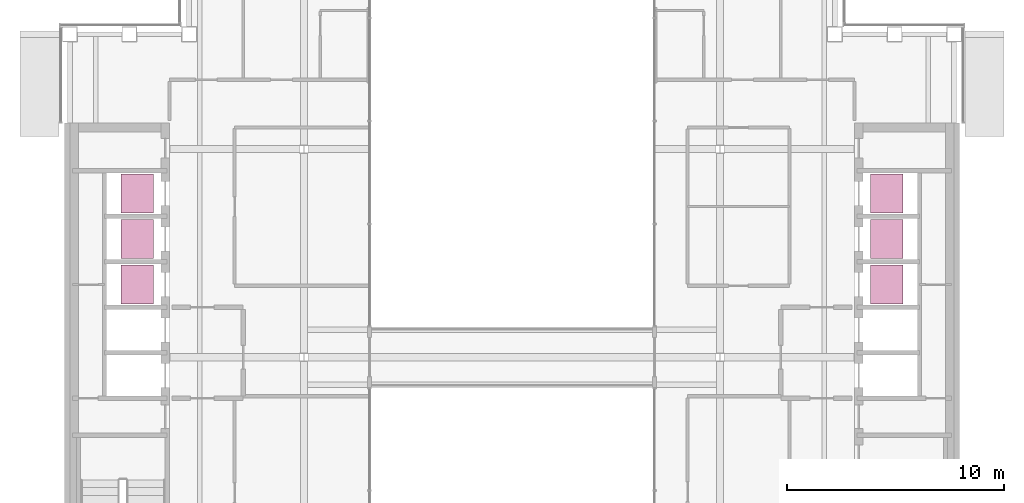
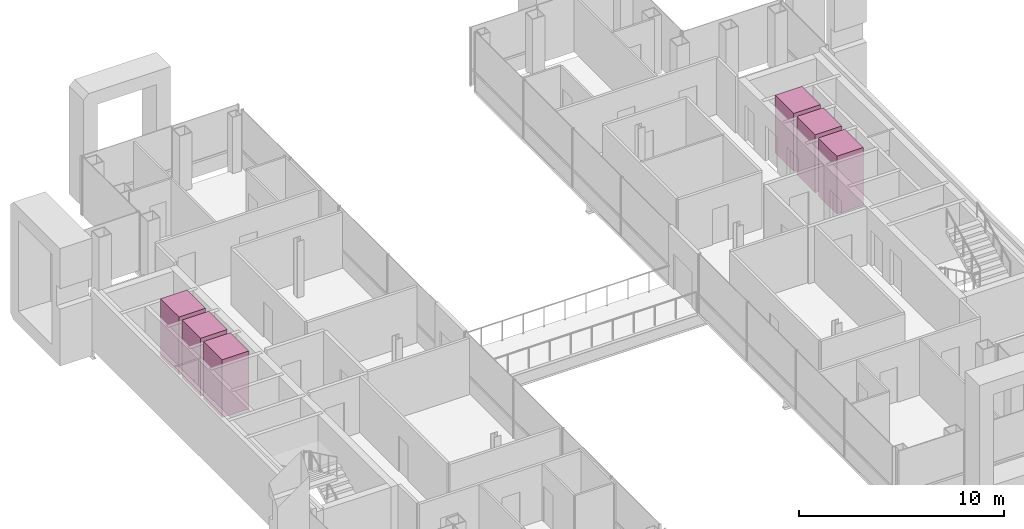
# One storey, part 17 of 17: 6 transport elements.
"""IFC4 building model written with IfcOpenShell, lengths in metres."""

from ifc_helpers import new_model, si_unit, direction, frame, origin, origin_2d, place, context, subcontext, project, spatial, rectangle, extrude, material, type_object, element, save


model = new_model("IFC4")

# Units and contexts
model_context = context("Model", 3, precision=1e-05, world=origin(), true_north=direction((0.0, 1.0)))
body_context = subcontext(model_context, "Body", "Model", "MODEL_VIEW")
ifc_project = project(units=[si_unit("LENGTHUNIT", "METRE"), si_unit("AREAUNIT", "SQUARE_METRE"), si_unit("VOLUMEUNIT", "CUBIC_METRE"), si_unit("PLANEANGLEUNIT", "RADIAN"), si_unit("MASSUNIT", "GRAM", prefix="KILO")], contexts=[model_context])

# Site, building, storey
site_placement = place(None, origin())
site = spatial("IfcSite", under=ifc_project, at=site_placement, CompositionType="ELEMENT")
building_placement = place(site_placement, origin())
building = spatial("IfcBuilding", under=site, at=building_placement, Name="Cobrizo Arcos Hotel Tower", CompositionType="ELEMENT")
storey_placement = place(building_placement, frame((0.0, 0.0, 226.0)))
storey = spatial("IfcBuildingStorey", under=building, at=storey_placement, Name="L59", CompositionType="ELEMENT", Elevation=226.0)

# Transport elements
ifc_material = material(Name="Stainless steel car", Category="steel")
transport_element_type = type_object("IfcTransportElementType", Name="Lift car High 1.8x1.5", PredefinedType="ELEVATOR", material=ifc_material)
for number, where, z_axis, x_axis, name in (
    (1, (-17.300048828125, 3.35009765625, 0.0), (0.0, 0.0, 1.0), (1.0, 0.0, 0.0), "High-rise passenger lift W1"),
    (2, (-17.300048828125, 5.449951171875, 0.0), (0.0, 0.0, 1.0), (1.0, 0.0, 0.0), "High-rise passenger lift W2"),
    (3, (-17.300048828125, 7.550048828125, 0.0), (0.0, 0.0, 1.0), (1.0, 0.0, 0.0), "High-rise passenger lift W3"),
    (4, (17.300048828125, 3.35009765625, 0.0), (0.0, 0.0, 1.0), (1.0, 0.0, 0.0), "High-rise passenger lift E1"),
    (5, (17.300048828125, 5.449951171875, 0.0), (0.0, 0.0, 1.0), (1.0, 0.0, 0.0), "High-rise passenger lift E2"),
    (6, (17.300048828125, 7.550048828125, 0.0), (0.0, 0.0, 1.0), (1.0, 0.0, 0.0), "High-rise passenger lift E3"),
):
    element("IfcTransportElement", number, at=place(storey_placement, frame(where, z_axis=z_axis, x_axis=x_axis)), inside=storey, type_object=transport_element_type, Name=name, PredefinedType="ELEVATOR", context=body_context, shape_type="SweptSolid", body=[
        extrude(rectangle(XDim=1.5, YDim=1.800048828125, at=origin_2d()), origin(), (0.0, 0.0, 1.0), 3.449951171875),
    ])

save(model, "model.ifc")
